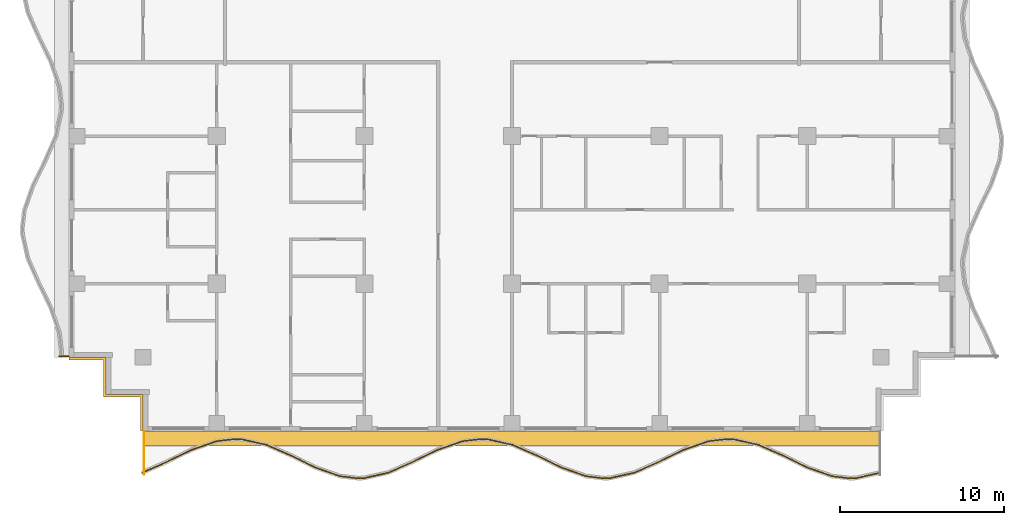
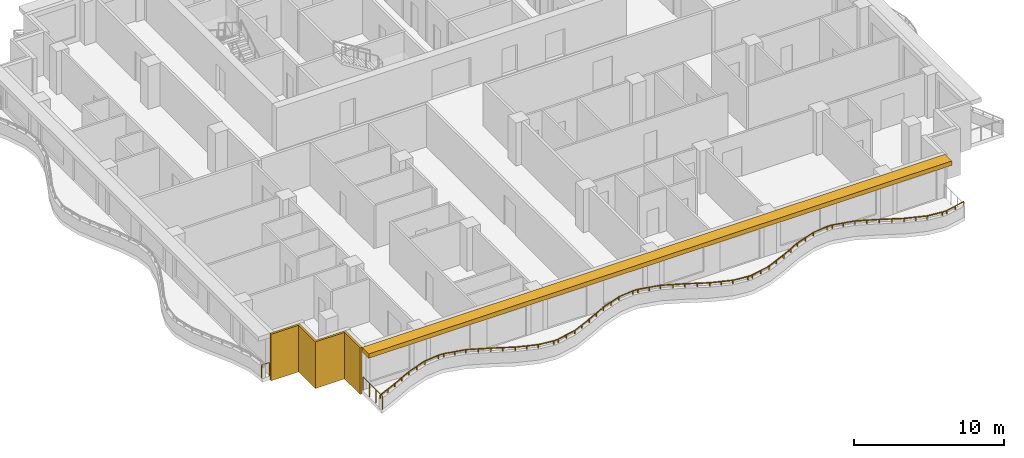
# One storey, part 8 of 11: 3 railings, 2 shading devices.
"""IFC4 building model written with IfcOpenShell, lengths in metres."""

from ifc_helpers import new_model, si_unit, direction, frame, origin, origin_2d, place, context, subcontext, project, spatial, polyline, rectangle, outline, extrude, material, layer, layer_set, type_object, element, save


model = new_model("IFC4")

# Units and contexts
model_context = context("Model", 3, precision=1e-05, world=origin(), true_north=direction((0.0, 1.0)))
body_context = subcontext(model_context, "Body", "Model", "MODEL_VIEW")
ifc_project = project(units=[si_unit("LENGTHUNIT", "METRE"), si_unit("AREAUNIT", "SQUARE_METRE"), si_unit("VOLUMEUNIT", "CUBIC_METRE"), si_unit("PLANEANGLEUNIT", "RADIAN"), si_unit("MASSUNIT", "GRAM", prefix="KILO")], contexts=[model_context])

# Site, building, storey
site_placement = place(None, origin())
site = spatial("IfcSite", under=ifc_project, at=site_placement, CompositionType="ELEMENT")
building_placement = place(site_placement, origin())
building = spatial("IfcBuilding", under=site, at=building_placement, Name="Orbiselva Terraces", CompositionType="ELEMENT")
storey_placement = place(building_placement, frame((0.0, 0.0, 222.4)))
storey = spatial("IfcBuildingStorey", under=building, at=storey_placement, Name="L56", CompositionType="ELEMENT", Elevation=222.4)

# Railings
ifc_material_1 = material(Name="Bonded two-ply safety glass balustrade, stainless steel posts", Category="steel")
railing_type_1 = type_object("IfcRailingType", Name="ENV-BALUSTRADE-1200", PredefinedType="BALUSTRADE", material=ifc_material_1)
railing_1_placement = place(storey_placement, frame((-22.550394, -25.034136, 0.9)))
element("IfcRailing", 1, at=railing_1_placement, inside=storey, type_object=railing_type_1, Name="Balcony balustrade L56 S", PredefinedType="BALUSTRADE", context=body_context, shape_type="SweptSolid", body=[
    extrude(outline(polyline([(0.028868, 0.0), (0.014434, 0.025), (-0.014434, 0.025), (-0.028868, 0.0), (-0.014434, -0.025), (0.014434, -0.025), (0.028868, 0.0)])), frame((0.0, 0.0, 0.275), z_axis=(0.915133498047, 0.403150940408, 0.0), x_axis=(-0.403150940408, 0.915133498047, 0.0)), (0.0, 0.0, 1.0), 1.636648),
    extrude(outline(polyline([(0.028868, 0.0), (0.014434, 0.025), (-0.014434, 0.025), (-0.028868, 0.0), (-0.014434, -0.025), (0.014434, -0.025), (0.028868, 0.0)])), frame((1.497751, 0.659816, 0.275), z_axis=(0.898578870221, 0.438812048596, 0.0), x_axis=(-0.438812048596, 0.898578870221, 0.0)), (0.0, 0.0, 1.0), 1.674225),
    extrude(outline(polyline([(0.028868, 0.0), (0.014434, 0.025), (-0.014434, 0.025), (-0.028868, 0.0), (-0.014434, -0.025), (0.014434, -0.025), (0.028868, 0.0)])), frame((3.002174, 1.394486, 0.275), z_axis=(0.943972332783, 0.330024597479, 0.0), x_axis=(-0.330024597479, 0.943972332783, 0.0)), (0.0, 0.0, 1.0), 1.610253),
    extrude(outline(polyline([(0.028868, 0.0), (0.014434, 0.025), (-0.014434, 0.025), (-0.028868, 0.0), (-0.014434, -0.025), (0.014434, -0.025), (0.028868, 0.0)])), frame((4.522208, 1.925909, 0.275), z_axis=(0.993309551734, 0.115482182324, 0.0), x_axis=(-0.115482182324, 0.993309551734, 0.0)), (0.0, 0.0, 1.0), 1.156135),
    extrude(outline(polyline([(0.028868, 0.0), (0.014434, 0.025), (-0.014434, 0.025), (-0.028868, 0.0), (-0.014434, -0.025), (0.014434, -0.025), (0.028868, 0.0)])), frame((5.670608, 2.059422, 0.275), z_axis=(0.999224734286, -0.03936915532, 0.0), x_axis=(0.03936915532, 0.999224734286, 0.0)), (0.0, 0.0, 1.0), 0.396376),
    extrude(outline(polyline([(0.028868, 0.0), (0.014434, 0.025), (-0.014434, 0.025), (-0.028868, 0.0), (-0.014434, -0.025), (0.014434, -0.025), (0.028868, 0.0)])), frame((6.066677, 2.043817, 0.275), z_axis=(0.97572137947, -0.219015500924, 0.0), x_axis=(0.219015500924, 0.97572137947, 0.0)), (0.0, 0.0, 1.0), 1.560867),
    extrude(outline(polyline([(0.028868, 0.0), (0.014434, 0.025), (-0.014434, 0.025), (-0.028868, 0.0), (-0.014434, -0.025), (0.014434, -0.025), (0.028868, 0.0)])), frame((7.589648, 1.701963, 0.275), z_axis=(0.915133527237, -0.403150874148, 0.0), x_axis=(0.403150874148, 0.915133527237, 0.0)), (0.0, 0.0, 1.0), 1.653736),
    extrude(outline(polyline([(0.028868, 0.0), (0.014434, 0.025), (-0.014434, 0.025), (-0.028868, 0.0), (-0.014434, -0.025), (0.014434, -0.025), (0.028868, 0.0)])), frame((9.103037, 1.035258, 0.275), z_axis=(0.89857890432, -0.438811978768, 0.0), x_axis=(0.438811978768, 0.89857890432, 0.0)), (0.0, 0.0, 1.0), 1.66438),
    extrude(outline(polyline([(0.028868, 0.0), (0.014434, 0.025), (-0.014434, 0.025), (-0.028868, 0.0), (-0.014434, -0.025), (0.014434, -0.025), (0.028868, 0.0)])), frame((10.598614, 0.304908, 0.275), z_axis=(0.943972277814, -0.330024754707, 0.0), x_axis=(0.330024754707, 0.943972277814, 0.0)), (0.0, 0.0, 1.0), 1.567807),
    extrude(outline(polyline([(0.028868, 0.0), (0.014434, 0.025), (-0.014434, 0.025), (-0.028868, 0.0), (-0.014434, -0.025), (0.014434, -0.025), (0.028868, 0.0)])), frame((12.07858, -0.212507, 0.275), z_axis=(0.993309658409, -0.115481264762, 0.0), x_axis=(0.115481264762, 0.993309658409, 0.0)), (0.0, 0.0, 1.0), 1.10902),
    extrude(outline(polyline([(0.028868, 0.0), (0.014434, 0.025), (-0.014434, 0.025), (-0.028868, 0.0), (-0.014434, -0.025), (0.014434, -0.025), (0.028868, 0.0)])), frame((13.18018, -0.340578, 0.275), z_axis=(0.999224931454, 0.039364150694, 0.0), x_axis=(-0.039364150694, 0.999224931454, 0.0)), (0.0, 0.0, 1.0), 0.354206),
    extrude(outline(polyline([(0.028868, 0.0), (0.014434, 0.025), (-0.014434, 0.025), (-0.028868, 0.0), (-0.014434, -0.025), (0.014434, -0.025), (0.028868, 0.0)])), frame((13.534111, -0.326635, 0.275), z_axis=(0.975721325753, 0.219015740235, 0.0), x_axis=(-0.219015740235, 0.975721325753, 0.0)), (0.0, 0.0, 1.0), 1.513782),
    extrude(outline(polyline([(0.028868, 0.0), (0.014434, 0.025), (-0.014434, 0.025), (-0.028868, 0.0), (-0.014434, -0.025), (0.014434, -0.025), (0.028868, 0.0)])), frame((15.01114, 0.004907, 0.275), z_axis=(0.915133363686, 0.403151245402, 0.0), x_axis=(-0.403151245402, 0.915133363686, 0.0)), (0.0, 0.0, 1.0), 1.624475),
    extrude(outline(polyline([(0.028868, 0.0), (0.014434, 0.025), (-0.014434, 0.025), (-0.028868, 0.0), (-0.014434, -0.025), (0.014434, -0.025), (0.028868, 0.0)])), frame((16.497751, 0.659816, 0.275), z_axis=(0.898578870221, 0.438812048596, 0.0), x_axis=(-0.438812048596, 0.898578870221, 0.0)), (0.0, 0.0, 1.0), 1.674225),
    extrude(outline(polyline([(0.028868, 0.0), (0.014434, 0.025), (-0.014434, 0.025), (-0.028868, 0.0), (-0.014434, -0.025), (0.014434, -0.025), (0.028868, 0.0)])), frame((18.002174, 1.394486, 0.275), z_axis=(0.943972332783, 0.330024597479, 0.0), x_axis=(-0.330024597479, 0.943972332783, 0.0)), (0.0, 0.0, 1.0), 1.610253),
    extrude(outline(polyline([(0.028868, 0.0), (0.014434, 0.025), (-0.014434, 0.025), (-0.028868, 0.0), (-0.014434, -0.025), (0.014434, -0.025), (0.028868, 0.0)])), frame((19.522208, 1.925909, 0.275), z_axis=(0.993309551734, 0.115482182324, 0.0), x_axis=(-0.115482182324, 0.993309551734, 0.0)), (0.0, 0.0, 1.0), 1.156135),
    extrude(outline(polyline([(0.028868, 0.0), (0.014434, 0.025), (-0.014434, 0.025), (-0.028868, 0.0), (-0.014434, -0.025), (0.014434, -0.025), (0.028868, 0.0)])), frame((20.670608, 2.059422, 0.275), z_axis=(0.999224734286, -0.03936915532, 0.0), x_axis=(0.03936915532, 0.999224734286, 0.0)), (0.0, 0.0, 1.0), 0.396376),
    extrude(outline(polyline([(0.028868, 0.0), (0.014434, 0.025), (-0.014434, 0.025), (-0.028868, 0.0), (-0.014434, -0.025), (0.014434, -0.025), (0.028868, 0.0)])), frame((21.066677, 2.043817, 0.275), z_axis=(0.97572137947, -0.219015500924, 0.0), x_axis=(0.219015500924, 0.97572137947, 0.0)), (0.0, 0.0, 1.0), 1.560867),
    extrude(outline(polyline([(0.028868, 0.0), (0.014434, 0.025), (-0.014434, 0.025), (-0.028868, 0.0), (-0.014434, -0.025), (0.014434, -0.025), (0.028868, 0.0)])), frame((22.589648, 1.701963, 0.275), z_axis=(0.915133527237, -0.403150874148, 0.0), x_axis=(0.403150874148, 0.915133527237, 0.0)), (0.0, 0.0, 1.0), 1.653736),
    extrude(outline(polyline([(0.028868, 0.0), (0.014434, 0.025), (-0.014434, 0.025), (-0.028868, 0.0), (-0.014434, -0.025), (0.014434, -0.025), (0.028868, 0.0)])), frame((24.103037, 1.035258, 0.275), z_axis=(0.89857890432, -0.438811978768, 0.0), x_axis=(0.438811978768, 0.89857890432, 0.0)), (0.0, 0.0, 1.0), 1.66438),
    extrude(outline(polyline([(0.028868, 0.0), (0.014434, 0.025), (-0.014434, 0.025), (-0.028868, 0.0), (-0.014434, -0.025), (0.014434, -0.025), (0.028868, 0.0)])), frame((25.598614, 0.304908, 0.275), z_axis=(0.943972277814, -0.330024754707, 0.0), x_axis=(0.330024754707, 0.943972277814, 0.0)), (0.0, 0.0, 1.0), 1.567807),
    extrude(outline(polyline([(0.028868, 0.0), (0.014434, 0.025), (-0.014434, 0.025), (-0.028868, 0.0), (-0.014434, -0.025), (0.014434, -0.025), (0.028868, 0.0)])), frame((27.07858, -0.212507, 0.275), z_axis=(0.993309658409, -0.115481264762, 0.0), x_axis=(0.115481264762, 0.993309658409, 0.0)), (0.0, 0.0, 1.0), 1.10902),
    extrude(outline(polyline([(0.028868, 0.0), (0.014434, 0.025), (-0.014434, 0.025), (-0.028868, 0.0), (-0.014434, -0.025), (0.014434, -0.025), (0.028868, 0.0)])), frame((28.18018, -0.340578, 0.275), z_axis=(0.999224931454, 0.039364150694, 0.0), x_axis=(-0.039364150694, 0.999224931454, 0.0)), (0.0, 0.0, 1.0), 0.354206),
    extrude(outline(polyline([(0.028868, 0.0), (0.014434, 0.025), (-0.014434, 0.025), (-0.028868, 0.0), (-0.014434, -0.025), (0.014434, -0.025), (0.028868, 0.0)])), frame((28.534111, -0.326635, 0.275), z_axis=(0.975721325753, 0.219015740235, 0.0), x_axis=(-0.219015740235, 0.975721325753, 0.0)), (0.0, 0.0, 1.0), 1.513782),
    extrude(outline(polyline([(0.028868, 0.0), (0.014434, 0.025), (-0.014434, 0.025), (-0.028868, 0.0), (-0.014434, -0.025), (0.014434, -0.025), (0.028868, 0.0)])), frame((30.01114, 0.004907, 0.275), z_axis=(0.915133363686, 0.403151245402, 0.0), x_axis=(-0.403151245402, 0.915133363686, 0.0)), (0.0, 0.0, 1.0), 1.624475),
    extrude(outline(polyline([(0.028868, 0.0), (0.014434, 0.025), (-0.014434, 0.025), (-0.028868, 0.0), (-0.014434, -0.025), (0.014434, -0.025), (0.028868, 0.0)])), frame((31.497751, 0.659816, 0.275), z_axis=(0.898578870221, 0.438812048596, 0.0), x_axis=(-0.438812048596, 0.898578870221, 0.0)), (0.0, 0.0, 1.0), 1.674225),
    extrude(outline(polyline([(0.028868, 0.0), (0.014434, 0.025), (-0.014434, 0.025), (-0.028868, 0.0), (-0.014434, -0.025), (0.014434, -0.025), (0.028868, 0.0)])), frame((33.002174, 1.394486, 0.275), z_axis=(0.943972332783, 0.330024597479, 0.0), x_axis=(-0.330024597479, 0.943972332783, 0.0)), (0.0, 0.0, 1.0), 1.610253),
    extrude(outline(polyline([(0.028868, 0.0), (0.014434, 0.025), (-0.014434, 0.025), (-0.028868, 0.0), (-0.014434, -0.025), (0.014434, -0.025), (0.028868, 0.0)])), frame((34.522208, 1.925909, 0.275), z_axis=(0.993309551734, 0.115482182324, 0.0), x_axis=(-0.115482182324, 0.993309551734, 0.0)), (0.0, 0.0, 1.0), 1.156135),
    extrude(outline(polyline([(0.028868, 0.0), (0.014434, 0.025), (-0.014434, 0.025), (-0.028868, 0.0), (-0.014434, -0.025), (0.014434, -0.025), (0.028868, 0.0)])), frame((35.670608, 2.059422, 0.275), z_axis=(0.999224734286, -0.03936915532, 0.0), x_axis=(0.03936915532, 0.999224734286, 0.0)), (0.0, 0.0, 1.0), 0.396376),
    extrude(outline(polyline([(0.028868, 0.0), (0.014434, 0.025), (-0.014434, 0.025), (-0.028868, 0.0), (-0.014434, -0.025), (0.014434, -0.025), (0.028868, 0.0)])), frame((36.066677, 2.043817, 0.275), z_axis=(0.97572137947, -0.219015500924, 0.0), x_axis=(0.219015500924, 0.97572137947, 0.0)), (0.0, 0.0, 1.0), 1.560867),
    extrude(outline(polyline([(0.028868, 0.0), (0.014434, 0.025), (-0.014434, 0.025), (-0.028868, 0.0), (-0.014434, -0.025), (0.014434, -0.025), (0.028868, 0.0)])), frame((37.589648, 1.701963, 0.275), z_axis=(0.915133527237, -0.403150874148, 0.0), x_axis=(0.403150874148, 0.915133527237, 0.0)), (0.0, 0.0, 1.0), 1.653736),
    extrude(outline(polyline([(0.028868, 0.0), (0.014434, 0.025), (-0.014434, 0.025), (-0.028868, 0.0), (-0.014434, -0.025), (0.014434, -0.025), (0.028868, 0.0)])), frame((39.103037, 1.035258, 0.275), z_axis=(0.89857890432, -0.438811978768, 0.0), x_axis=(0.438811978768, 0.89857890432, 0.0)), (0.0, 0.0, 1.0), 1.66438),
    extrude(outline(polyline([(0.028868, 0.0), (0.014434, 0.025), (-0.014434, 0.025), (-0.028868, 0.0), (-0.014434, -0.025), (0.014434, -0.025), (0.028868, 0.0)])), frame((40.598614, 0.304908, 0.275), z_axis=(0.943972277814, -0.330024754707, 0.0), x_axis=(0.330024754707, 0.943972277814, 0.0)), (0.0, 0.0, 1.0), 1.567807),
    extrude(outline(polyline([(0.028868, 0.0), (0.014434, 0.025), (-0.014434, 0.025), (-0.028868, 0.0), (-0.014434, -0.025), (0.014434, -0.025), (0.028868, 0.0)])), frame((42.07858, -0.212507, 0.275), z_axis=(0.993309658409, -0.115481264762, 0.0), x_axis=(0.115481264762, 0.993309658409, 0.0)), (0.0, 0.0, 1.0), 1.10902),
    extrude(outline(polyline([(0.028868, 0.0), (0.014434, 0.025), (-0.014434, 0.025), (-0.028868, 0.0), (-0.014434, -0.025), (0.014434, -0.025), (0.028868, 0.0)])), frame((43.18018, -0.340578, 0.275), z_axis=(0.999224931454, 0.039364150694, 0.0), x_axis=(-0.039364150694, 0.999224931454, 0.0)), (0.0, 0.0, 1.0), 0.354206),
    extrude(outline(polyline([(0.028868, 0.0), (0.014434, 0.025), (-0.014434, 0.025), (-0.028868, 0.0), (-0.014434, -0.025), (0.014434, -0.025), (0.028868, 0.0)])), frame((43.534111, -0.326635, 0.275), z_axis=(0.975721322437, 0.21901575501, 0.0), x_axis=(-0.21901575501, 0.975721322437, 0.0)), (0.0, 0.0, 1.0), 1.525954),
    extrude(rectangle(XDim=0.05, YDim=0.05, at=origin_2d()), origin(), (0.0, 0.0, 1.0), 0.25),
    extrude(rectangle(XDim=0.05, YDim=0.05, at=origin_2d()), frame((0.748876, 0.329908, 0.0)), (0.0, 0.0, 1.0), 0.25),
    extrude(rectangle(XDim=0.05, YDim=0.05, at=origin_2d()), frame((1.497751, 0.659816, 0.0)), (0.0, 0.0, 1.0), 0.25),
    extrude(rectangle(XDim=0.05, YDim=0.05, at=origin_2d()), frame((2.249963, 1.027151, 0.0)), (0.0, 0.0, 1.0), 0.25),
    extrude(rectangle(XDim=0.05, YDim=0.05, at=origin_2d()), frame((3.002174, 1.394486, 0.0)), (0.0, 0.0, 1.0), 0.25),
    extrude(rectangle(XDim=0.05, YDim=0.05, at=origin_2d()), frame((3.762191, 1.660198, 0.0)), (0.0, 0.0, 1.0), 0.25),
    extrude(rectangle(XDim=0.05, YDim=0.05, at=origin_2d()), frame((4.522208, 1.925909, 0.0)), (0.0, 0.0, 1.0), 0.25),
    extrude(rectangle(XDim=0.05, YDim=0.05, at=origin_2d()), frame((5.670608, 2.059422, 0.0)), (0.0, 0.0, 1.0), 0.25),
    extrude(rectangle(XDim=0.05, YDim=0.05, at=origin_2d()), frame((6.066677, 2.043817, 0.0)), (0.0, 0.0, 1.0), 0.25),
    extrude(rectangle(XDim=0.05, YDim=0.05, at=origin_2d()), frame((6.828163, 1.87289, 0.0)), (0.0, 0.0, 1.0), 0.25),
    extrude(rectangle(XDim=0.05, YDim=0.05, at=origin_2d()), frame((7.589648, 1.701963, 0.0)), (0.0, 0.0, 1.0), 0.25),
    extrude(rectangle(XDim=0.05, YDim=0.05, at=origin_2d()), frame((8.346342, 1.36861, 0.0)), (0.0, 0.0, 1.0), 0.25),
    extrude(rectangle(XDim=0.05, YDim=0.05, at=origin_2d()), frame((9.103037, 1.035258, 0.0)), (0.0, 0.0, 1.0), 0.25),
    extrude(rectangle(XDim=0.05, YDim=0.05, at=origin_2d()), frame((9.850826, 0.670083, 0.0)), (0.0, 0.0, 1.0), 0.25),
    extrude(rectangle(XDim=0.05, YDim=0.05, at=origin_2d()), frame((10.598614, 0.304908, 0.0)), (0.0, 0.0, 1.0), 0.25),
    extrude(rectangle(XDim=0.05, YDim=0.05, at=origin_2d()), frame((11.338597, 0.046201, 0.0)), (0.0, 0.0, 1.0), 0.25),
    extrude(rectangle(XDim=0.05, YDim=0.05, at=origin_2d()), frame((12.07858, -0.212507, 0.0)), (0.0, 0.0, 1.0), 0.25),
    extrude(rectangle(XDim=0.05, YDim=0.05, at=origin_2d()), frame((13.18018, -0.340578, 0.0)), (0.0, 0.0, 1.0), 0.25),
    extrude(rectangle(XDim=0.05, YDim=0.05, at=origin_2d()), frame((13.534111, -0.326635, 0.0)), (0.0, 0.0, 1.0), 0.25),
    extrude(rectangle(XDim=0.05, YDim=0.05, at=origin_2d()), frame((14.272626, -0.160864, 0.0)), (0.0, 0.0, 1.0), 0.25),
    extrude(rectangle(XDim=0.05, YDim=0.05, at=origin_2d()), frame((15.01114, 0.004907, 0.0)), (0.0, 0.0, 1.0), 0.25),
    extrude(rectangle(XDim=0.05, YDim=0.05, at=origin_2d()), frame((15.754446, 0.332361, 0.0)), (0.0, 0.0, 1.0), 0.25),
    extrude(rectangle(XDim=0.05, YDim=0.05, at=origin_2d()), frame((16.497751, 0.659816, 0.0)), (0.0, 0.0, 1.0), 0.25),
    extrude(rectangle(XDim=0.05, YDim=0.05, at=origin_2d()), frame((17.249963, 1.027151, 0.0)), (0.0, 0.0, 1.0), 0.25),
    extrude(rectangle(XDim=0.05, YDim=0.05, at=origin_2d()), frame((18.002174, 1.394486, 0.0)), (0.0, 0.0, 1.0), 0.25),
    extrude(rectangle(XDim=0.05, YDim=0.05, at=origin_2d()), frame((18.762191, 1.660198, 0.0)), (0.0, 0.0, 1.0), 0.25),
    extrude(rectangle(XDim=0.05, YDim=0.05, at=origin_2d()), frame((19.522208, 1.925909, 0.0)), (0.0, 0.0, 1.0), 0.25),
    extrude(rectangle(XDim=0.05, YDim=0.05, at=origin_2d()), frame((20.670608, 2.059422, 0.0)), (0.0, 0.0, 1.0), 0.25),
    extrude(rectangle(XDim=0.05, YDim=0.05, at=origin_2d()), frame((21.066677, 2.043817, 0.0)), (0.0, 0.0, 1.0), 0.25),
    extrude(rectangle(XDim=0.05, YDim=0.05, at=origin_2d()), frame((21.828162, 1.87289, 0.0)), (0.0, 0.0, 1.0), 0.25),
    extrude(rectangle(XDim=0.05, YDim=0.05, at=origin_2d()), frame((22.589648, 1.701963, 0.0)), (0.0, 0.0, 1.0), 0.25),
    extrude(rectangle(XDim=0.05, YDim=0.05, at=origin_2d()), frame((23.346342, 1.36861, 0.0)), (0.0, 0.0, 1.0), 0.25),
    extrude(rectangle(XDim=0.05, YDim=0.05, at=origin_2d()), frame((24.103037, 1.035258, 0.0)), (0.0, 0.0, 1.0), 0.25),
    extrude(rectangle(XDim=0.05, YDim=0.05, at=origin_2d()), frame((24.850826, 0.670083, 0.0)), (0.0, 0.0, 1.0), 0.25),
    extrude(rectangle(XDim=0.05, YDim=0.05, at=origin_2d()), frame((25.598614, 0.304908, 0.0)), (0.0, 0.0, 1.0), 0.25),
    extrude(rectangle(XDim=0.05, YDim=0.05, at=origin_2d()), frame((26.338597, 0.046201, 0.0)), (0.0, 0.0, 1.0), 0.25),
    extrude(rectangle(XDim=0.05, YDim=0.05, at=origin_2d()), frame((27.07858, -0.212507, 0.0)), (0.0, 0.0, 1.0), 0.25),
    extrude(rectangle(XDim=0.05, YDim=0.05, at=origin_2d()), frame((28.18018, -0.340578, 0.0)), (0.0, 0.0, 1.0), 0.25),
    extrude(rectangle(XDim=0.05, YDim=0.05, at=origin_2d()), frame((28.534111, -0.326635, 0.0)), (0.0, 0.0, 1.0), 0.25),
    extrude(rectangle(XDim=0.05, YDim=0.05, at=origin_2d()), frame((29.272626, -0.160864, 0.0)), (0.0, 0.0, 1.0), 0.25),
    extrude(rectangle(XDim=0.05, YDim=0.05, at=origin_2d()), frame((30.01114, 0.004907, 0.0)), (0.0, 0.0, 1.0), 0.25),
    extrude(rectangle(XDim=0.05, YDim=0.05, at=origin_2d()), frame((30.754446, 0.332361, 0.0)), (0.0, 0.0, 1.0), 0.25),
    extrude(rectangle(XDim=0.05, YDim=0.05, at=origin_2d()), frame((31.497751, 0.659816, 0.0)), (0.0, 0.0, 1.0), 0.25),
    extrude(rectangle(XDim=0.05, YDim=0.05, at=origin_2d()), frame((32.249962, 1.027151, 0.0)), (0.0, 0.0, 1.0), 0.25),
    extrude(rectangle(XDim=0.05, YDim=0.05, at=origin_2d()), frame((33.002174, 1.394486, 0.0)), (0.0, 0.0, 1.0), 0.25),
    extrude(rectangle(XDim=0.05, YDim=0.05, at=origin_2d()), frame((33.762191, 1.660198, 0.0)), (0.0, 0.0, 1.0), 0.25),
    extrude(rectangle(XDim=0.05, YDim=0.05, at=origin_2d()), frame((34.522208, 1.925909, 0.0)), (0.0, 0.0, 1.0), 0.25),
    extrude(rectangle(XDim=0.05, YDim=0.05, at=origin_2d()), frame((35.670608, 2.059422, 0.0)), (0.0, 0.0, 1.0), 0.25),
    extrude(rectangle(XDim=0.05, YDim=0.05, at=origin_2d()), frame((36.066677, 2.043817, 0.0)), (0.0, 0.0, 1.0), 0.25),
    extrude(rectangle(XDim=0.05, YDim=0.05, at=origin_2d()), frame((36.828162, 1.87289, 0.0)), (0.0, 0.0, 1.0), 0.25),
    extrude(rectangle(XDim=0.05, YDim=0.05, at=origin_2d()), frame((37.589648, 1.701963, 0.0)), (0.0, 0.0, 1.0), 0.25),
    extrude(rectangle(XDim=0.05, YDim=0.05, at=origin_2d()), frame((38.346342, 1.36861, 0.0)), (0.0, 0.0, 1.0), 0.25),
    extrude(rectangle(XDim=0.05, YDim=0.05, at=origin_2d()), frame((39.103037, 1.035258, 0.0)), (0.0, 0.0, 1.0), 0.25),
    extrude(rectangle(XDim=0.05, YDim=0.05, at=origin_2d()), frame((39.850826, 0.670083, 0.0)), (0.0, 0.0, 1.0), 0.25),
    extrude(rectangle(XDim=0.05, YDim=0.05, at=origin_2d()), frame((40.598614, 0.304908, 0.0)), (0.0, 0.0, 1.0), 0.25),
    extrude(rectangle(XDim=0.05, YDim=0.05, at=origin_2d()), frame((41.338597, 0.046201, 0.0)), (0.0, 0.0, 1.0), 0.25),
    extrude(rectangle(XDim=0.05, YDim=0.05, at=origin_2d()), frame((42.07858, -0.212507, 0.0)), (0.0, 0.0, 1.0), 0.25),
    extrude(rectangle(XDim=0.05, YDim=0.05, at=origin_2d()), frame((43.18018, -0.340578, 0.0)), (0.0, 0.0, 1.0), 0.25),
    extrude(rectangle(XDim=0.05, YDim=0.05, at=origin_2d()), frame((43.534111, -0.326635, 0.0)), (0.0, 0.0, 1.0), 0.25),
    extrude(rectangle(XDim=0.05, YDim=0.05, at=origin_2d()), frame((44.278564, -0.159531, 0.0)), (0.0, 0.0, 1.0), 0.25),
    extrude(rectangle(XDim=0.05, YDim=0.05, at=origin_2d()), frame((45.023017, 0.007573, 0.0)), (0.0, 0.0, 1.0), 0.25),
])
ifc_material_2 = material(Name="Stainless steel rail and posts", Category="steel")
railing_type_2 = type_object("IfcRailingType", Name="ENV-GUARD-1105", PredefinedType="BALUSTRADE", material=ifc_material_2)
railing_2_placement = place(storey_placement, frame((-22.44, -25.126937, 0.0)))
element("IfcRailing", 2, at=railing_2_placement, inside=storey, type_object=railing_type_2, Name="Balcony end guard L56 S", PredefinedType="BALUSTRADE", context=body_context, shape_type="SweptSolid", body=[
    extrude(outline(polyline([(0.028868, 0.0), (0.014434, 0.025), (-0.014434, 0.025), (-0.028868, 0.0), (-0.014434, -0.025), (0.014434, -0.025), (0.028868, 0.0)])), frame((0.0, 0.0, 1.08), z_axis=(0.0, 1.0, 0.0), x_axis=(-1.0, 0.0, 0.0)), (0.0, 0.0, 1.0), 2.601937),
    extrude(rectangle(XDim=0.05, YDim=0.05, at=origin_2d()), origin(), (0.0, 0.0, 1.0), 1.055),
    extrude(rectangle(XDim=0.05, YDim=0.05, at=origin_2d()), frame((0.0, 0.867312, 0.0)), (0.0, 0.0, 1.0), 1.055),
    extrude(rectangle(XDim=0.05, YDim=0.05, at=origin_2d()), frame((0.0, 1.734625, 0.0)), (0.0, 0.0, 1.0), 1.055),
    extrude(rectangle(XDim=0.05, YDim=0.05, at=origin_2d()), frame((0.0, 2.601937, 0.0)), (0.0, 0.0, 1.0), 1.055),
])
railing_3_placement = place(storey_placement, frame((-27.610431, -17.94, 0.0)))
element("IfcRailing", 3, at=railing_3_placement, inside=storey, type_object=railing_type_2, Name="Balcony end guard L56 W", PredefinedType="BALUSTRADE", context=body_context, shape_type="SweptSolid", body=[
    extrude(outline(polyline([(0.028868, 0.0), (0.014434, 0.025), (-0.014434, 0.025), (-0.028868, 0.0), (-0.014434, -0.025), (0.014434, -0.025), (0.028868, 0.0)])), frame((0.0, 0.0, 1.08), z_axis=(1.0, 0.0, 0.0), x_axis=(0.0, 1.0, 0.0)), (0.0, 0.0, 1.0), 0.585431),
    extrude(rectangle(XDim=0.05, YDim=0.05, at=origin_2d()), origin(), (0.0, 0.0, 1.0), 1.055),
    extrude(rectangle(XDim=0.05, YDim=0.05, at=origin_2d()), frame((0.585431, 0.0, 0.0)), (0.0, 0.0, 1.0), 1.055),
])

# Shading devices
ifc_material_3 = material(Name="Terracotta louvre screen", Category="masonry")
ifc_layer_1 = layer(ifc_material_3, 0.15)
ifc_layer_set_1 = layer_set([ifc_layer_1], Name="Terracotta louvre screen")
shading_device_type_1 = type_object("IfcShadingDeviceType", Name="ENV-SCREEN-150", PredefinedType="USERDEFINED", material=ifc_layer_set_1)
shading_device_1_placement = place(storey_placement, frame((0.0, 0.0, -0.3)))
element("IfcShadingDevice", 4, at=shading_device_1_placement, inside=storey, type_object=shading_device_type_1, Name="Louvre screen L56 SW", ObjectType="SCREEN", PredefinedType="USERDEFINED", context=body_context, shape_type="SweptSolid", body=[
    extrude(outline(polyline([(-27.0, -18.15), (-24.9, -18.15), (-24.9, -20.4), (-22.65, -20.4), (-22.65, -22.5), (-22.5, -22.5), (-22.5, -20.25), (-24.75, -20.25), (-24.75, -18.0), (-27.0, -18.0), (-27.0, -18.15)])), origin(), (0.0, 0.0, 1.0), 3.8),
])
ifc_material_4 = material(Name="Terracotta baguette sunshade", Category="masonry")
ifc_layer_2 = layer(ifc_material_4, 0.35)
ifc_layer_set_2 = layer_set([ifc_layer_2], Name="Terracotta baguette sunshade")
shading_device_type_2 = type_object("IfcShadingDeviceType", Name="ENV-SUNSHADE-900x350", PredefinedType="USERDEFINED", material=ifc_layer_set_2)
shading_device_2_placement = place(storey_placement, frame((0.0, 0.0, 3.15)))
element("IfcShadingDevice", 5, at=shading_device_2_placement, inside=storey, type_object=shading_device_type_2, Name="Sunshade band L56 S", ObjectType="SUNSHADE", PredefinedType="USERDEFINED", context=body_context, shape_type="SweptSolid", body=[
    extrude(outline(polyline([(-22.5, -23.4), (22.5, -23.4), (22.5, -22.5), (-22.5, -22.5), (-22.5, -23.4)])), origin(), (0.0, 0.0, 1.0), 0.35),
])

save(model, "model.ifc")
